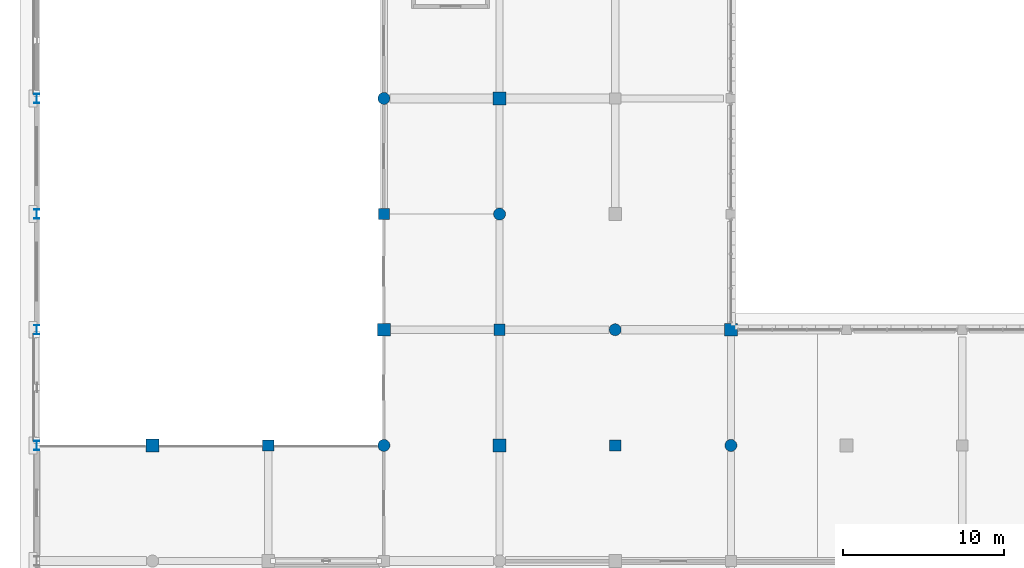
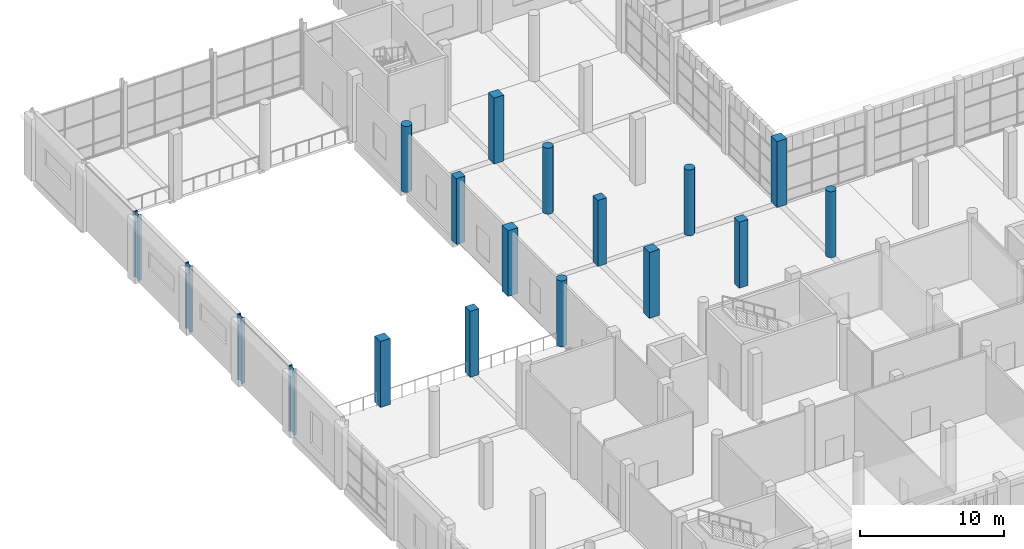
# One storey, part 3 of 80: 18 columns.
"""IFC4 building model written with IfcOpenShell, lengths in metres."""

import ifcopenshell
import ifcopenshell.guid

model = None  # the IFC model being written
_history = None  # IfcOwnerHistory: only IFC2X3 demands one
_inside = {}  # id of a spatial element -> (the spatial element, [elements in it])
_under = {}  # id of a project, library or spatial element -> (it, [spatial elements below it])
_declared = {}  # id of a project -> (the project, [libraries it declares])
_typed = {}  # id of a type object -> (the type object, [elements of that type])
_made_of = {}  # id of a material, layer set ... -> (it, [elements and type objects made of it])


def new_model(schema):
    """Start an empty IFC model of exactly this schema.

    Asked for "IFC4X3", IfcOpenShell would pick the latest addendum, in which some entities
    have other attributes; the version numbers below select the first issue.
    IFC2X3 requires an IfcOwnerHistory on every rooted entity: one is made here for all.
    """
    global model, _history
    if schema == "IFC4X3":
        model = ifcopenshell.file(schema_version=(4, 3, 0, 0))
    else:
        model = ifcopenshell.file(schema=schema)
    _inside.clear()
    _under.clear()
    _declared.clear()
    _typed.clear()
    _made_of.clear()
    _history = None
    if model.schema == "IFC2X3":
        org = make("IfcOrganization", Name="unknown")
        user = make(
            "IfcPersonAndOrganization",
            ThePerson=make("IfcPerson", FamilyName="unknown"),
            TheOrganization=org,
        )
        app = make(
            "IfcApplication",
            ApplicationDeveloper=org,
            Version="unknown",
            ApplicationFullName="unknown",
            ApplicationIdentifier="unknown",
        )
        _history = make(
            "IfcOwnerHistory",
            OwningUser=user,
            OwningApplication=app,
            ChangeAction="ADDED",
            CreationDate=0,
        )
    return model


def make(cls, **values):
    """One entity of the class cls with the attributes given. An attribute that is None is left unset."""
    return model.create_entity(
        cls, **{name: value for name, value in values.items() if value is not None}
    )


def rooted(cls, **values):
    """An entity with a GlobalId (a new one), such as an element, a storey or a relation."""
    return make(cls, GlobalId=ifcopenshell.guid.new(), OwnerHistory=_history, **values)


def si_unit(unit_type, name, prefix=None):
    """IfcSIUnit, for example si_unit("LENGTHUNIT", "METRE", prefix="MILLI")."""
    return make("IfcSIUnit", UnitType=unit_type, Prefix=prefix, Name=name)


def assignment(units):
    """IfcUnitAssignment: the units of a project."""
    return None if units is None else make("IfcUnitAssignment", Units=units)


def point(xyz):
    """IfcCartesianPoint."""
    return None if xyz is None else make("IfcCartesianPoint", Coordinates=xyz)


def direction(xyz):
    """IfcDirection."""
    return None if xyz is None else make("IfcDirection", DirectionRatios=xyz)


def frame(location, z_axis=None, x_axis=None):
    """IfcAxis2Placement3D, a coordinate frame: its origin and axes. An axis left out is left unset."""
    return make(
        "IfcAxis2Placement3D",
        Location=point(location),
        Axis=direction(z_axis),
        RefDirection=direction(x_axis),
    )


def frame_2d(location, x_axis=None):
    """IfcAxis2Placement2D, a coordinate frame in the plane: its origin and x axis."""
    return make(
        "IfcAxis2Placement2D", Location=point(location), RefDirection=direction(x_axis)
    )


def origin():
    """The frame at (0, 0, 0) with its axes left unset."""
    return frame((0.0, 0.0, 0.0))


def origin_2d():
    """The frame at (0, 0) in the plane with its x axis left unset."""
    return frame_2d((0.0, 0.0))


def place(relative_to, where):
    """IfcLocalPlacement: puts the frame where relative to a parent placement (None: the world)."""
    return make(
        "IfcLocalPlacement", PlacementRelTo=relative_to, RelativePlacement=where
    )


def context(
    kind, dimensions, precision=None, world=None, true_north=None, identifier=None
):
    """IfcGeometricRepresentationContext, for example the 3D "Model" context."""
    return make(
        "IfcGeometricRepresentationContext",
        ContextIdentifier=identifier,
        ContextType=kind,
        CoordinateSpaceDimension=dimensions,
        Precision=precision,
        WorldCoordinateSystem=world,
        TrueNorth=true_north,
    )


def subcontext(parent, identifier, kind, view, scale=None):
    """IfcGeometricRepresentationSubContext, for example "Body" below "Model"."""
    return make(
        "IfcGeometricRepresentationSubContext",
        ContextIdentifier=identifier,
        ContextType=kind,
        ParentContext=parent,
        TargetScale=scale,
        TargetView=view,
    )


def project(units=None, contexts=None):
    """IfcProject with its units and contexts."""
    return rooted(
        "IfcProject",
        Name="project",
        RepresentationContexts=contexts,
        UnitsInContext=assignment(units),
    )


def spatial(cls, under=None, at=None, **own):
    """A site, building, storey or space (cls), placed at a placement, below another one or the project."""
    s = rooted(cls, ObjectPlacement=at, **own)
    if under is not None:
        _under.setdefault(under.id(), (under, []))[1].append(s)
    return s


def profile(cls, at=None, kind="AREA", **sizes):
    """A parametric profile (cls). Its sizes go by their IFC names, for example OverallWidth=200.0."""
    return make(cls, ProfileType=kind, Position=at, **sizes)


def rectangle(**sizes):
    """IfcRectangleProfileDef."""
    return profile("IfcRectangleProfileDef", **sizes)


def circle(**sizes):
    """IfcCircleProfileDef."""
    return profile("IfcCircleProfileDef", **sizes)


def i_section(**sizes):
    """IfcIShapeProfileDef."""
    return profile("IfcIShapeProfileDef", **sizes)


def extrude(swept, where, along, depth):
    """IfcExtrudedAreaSolid: the profile swept, set in the frame where, extruded along a direction by depth."""
    return make(
        "IfcExtrudedAreaSolid",
        SweptArea=swept,
        Position=where,
        ExtrudedDirection=direction(along),
        Depth=depth,
    )


def shape(context_of_items, identifier, shape_type, items):
    """IfcShapeRepresentation: the items that make up one representation, for example the "Body"."""
    return make(
        "IfcShapeRepresentation",
        ContextOfItems=context_of_items,
        RepresentationIdentifier=identifier,
        RepresentationType=shape_type,
        Items=items,
    )


def material(Name=None, Category=None):
    """IfcMaterial."""
    return make("IfcMaterial", Name=Name, Category=Category)


def material_profile(
    of_material, cross_section, Name=None, Category=None, Priority=None
):
    """IfcMaterialProfile: a cross section and its material."""
    return make(
        "IfcMaterialProfile",
        Name=Name,
        Material=of_material,
        Profile=cross_section,
        Priority=Priority,
        Category=Category,
    )


def profile_set(profiles, Name=None, composite=None):
    """IfcMaterialProfileSet."""
    return make(
        "IfcMaterialProfileSet",
        Name=Name,
        MaterialProfiles=profiles,
        CompositeProfile=composite,
    )


def made_of(thing, what):
    """Note that an element or type object is made of a material, layer set ...; save() writes the relation."""
    if what is not None:
        _made_of.setdefault(what.id(), (what, []))[1].append(thing)
    return thing


def type_object(cls, material=None, **own):
    """A type object (cls), such as IfcWallType, which elements share."""
    return made_of(rooted(cls, **own), material)


def element(
    cls,
    number,
    at=None,
    inside=None,
    cuts=None,
    type_object=None,
    material=None,
    context=None,
    identifier="Body",
    shape_type=None,
    held_by="IfcProductDefinitionShape",
    body=None,
    shapes=None,
    **own,
):
    """One element of the class cls, such as IfcWall. Its Tag is "e" and its number.

    at: its placement. inside: the storey or other place that contains it. cuts: it is an
    opening in that element (IfcRelVoidsElement). A single representation is given by context,
    identifier, shape_type and body (its items); several are given by shapes. held_by: the class
    of the entity that holds the representations. save() writes the other relations.
    """
    e = rooted(cls, Tag="e%d" % number, ObjectPlacement=at, **own)
    if body is not None:
        shapes = [shape(context, identifier, shape_type, body)]
    if shapes is not None:
        e.Representation = make(held_by, Representations=shapes)
    if inside is not None:
        _inside.setdefault(inside.id(), (inside, []))[1].append(e)
    if cuts is not None:
        rooted(
            "IfcRelVoidsElement", RelatingBuildingElement=cuts, RelatedOpeningElement=e
        )
    if type_object is not None:
        _typed.setdefault(type_object.id(), (type_object, []))[1].append(e)
    return made_of(e, material)


def aggregate(whole, parts):
    """IfcRelAggregates: a whole, such as a stair, and the parts it consists of."""
    return rooted("IfcRelAggregates", RelatingObject=whole, RelatedObjects=parts)


def save(model, path):
    """Write the relations noted so far, then the file.

    IfcRelAggregates (storeys below a building ...), IfcRelContainedInSpatialStructure (elements
    in a storey), IfcRelDefinesByType, IfcRelAssociatesMaterial and IfcRelDeclares: one each for
    every whole, place, type object, material and project.
    """
    for whole, parts in _under.values():
        aggregate(whole, parts)
    for where, things in _inside.values():
        rooted(
            "IfcRelContainedInSpatialStructure",
            RelatedElements=things,
            RelatingStructure=where,
        )
    for kind, things in _typed.values():
        rooted("IfcRelDefinesByType", RelatedObjects=things, RelatingType=kind)
    for what, things in _made_of.values():
        rooted("IfcRelAssociatesMaterial", RelatedObjects=things, RelatingMaterial=what)
    for by, libraries in _declared.values():
        rooted("IfcRelDeclares", RelatingContext=by, RelatedDefinitions=libraries)
    model.write(path)


model = new_model("IFC4")

# Units and contexts
model_context = context("Model", 3, precision=1e-05, world=origin(), true_north=direction((0.0, 1.0)))
body_context = subcontext(model_context, "Body", "Model", "MODEL_VIEW")
ifc_project = project(units=[si_unit("LENGTHUNIT", "METRE"), si_unit("AREAUNIT", "SQUARE_METRE"), si_unit("VOLUMEUNIT", "CUBIC_METRE"), si_unit("PLANEANGLEUNIT", "RADIAN"), si_unit("MASSUNIT", "GRAM", prefix="KILO")], contexts=[model_context])

# Site, building, storey
site_placement = place(None, origin())
site = spatial("IfcSite", under=ifc_project, at=site_placement, CompositionType="ELEMENT")
building_placement = place(site_placement, origin())
building = spatial("IfcBuilding", under=site, at=building_placement, Name="Sardonyx Promenade Sports Hall", CompositionType="ELEMENT")
storey_placement = place(building_placement, frame((0.0, 0.0, 5.60009765625)))
storey = spatial("IfcBuildingStorey", under=building, at=storey_placement, Name="L01", CompositionType="ELEMENT", Elevation=5.60009765625)

# Columns
ifc_material_1 = material(Name="Steel S355JR", Category="steel")
ifc_material_profile_1 = material_profile(ifc_material_1, i_section(OverallWidth=0.300048828125, OverallDepth=0.590087890625, WebThickness=0.012939453125, FlangeThickness=0.02490234375, at=origin_2d()))
ifc_profile_set_1 = profile_set([ifc_material_profile_1], Name="Steel S355JR")
column_type_1 = type_object("IfcColumnType", Name="Col_Ext_HEA600", PredefinedType="COLUMN", material=ifc_profile_set_1)
for number, where, z_axis, x_axis, name in (
    (1, (0.0, 36.0, 0.0), (0.0, 0.0, 1.0), (1.0, 0.0, 0.0), "Column CE01 L01 (0.0,36.0)"),
    (2, (0.0, 43.199951171875, 0.0), (0.0, 0.0, 1.0), (1.0, 0.0, 0.0), "Column CE01 L01 (0.0,43.2)"),
    (3, (0.0, 50.39990234375, 0.0), (0.0, 0.0, 1.0), (1.0, 0.0, 0.0), "Column CE01 L01 (0.0,50.4)"),
    (4, (0.0, 57.60009765625, 0.0), (0.0, 0.0, 1.0), (1.0, 0.0, 0.0), "Column CE01 L01 (0.0,57.6)"),
):
    element("IfcColumn", number, at=place(storey_placement, frame(where, z_axis=z_axis, x_axis=x_axis)), inside=storey, type_object=column_type_1, Name=name, PredefinedType="COLUMN", context=body_context, shape_type="SweptSolid", body=[
        extrude(i_section(OverallWidth=0.300048828125, OverallDepth=0.590087890625, WebThickness=0.012939453125, FlangeThickness=0.02490234375, at=origin_2d()), origin(), (0.0, 0.0, 1.0), 5.599853515625),
    ])
ifc_material_2 = material(Name="Concrete C50/60", Category="concrete")
ifc_material_profile_2 = material_profile(ifc_material_2, rectangle(XDim=0.699951171875, YDim=0.699951171875, at=origin_2d()))
ifc_profile_set_2 = profile_set([ifc_material_profile_2], Name="Concrete C50/60")
column_type_2 = type_object("IfcColumnType", Name="Col_Int_RC700", PredefinedType="COLUMN", material=ifc_profile_set_2)
for number, where, z_axis, x_axis, name in (
    (5, (14.39990234375, 36.0, 0.0), (0.0, 0.0, 1.0), (1.0, 0.0, 0.0), "Column CI03 L01 (14.4,36.0)"),
    (6, (21.60009765625, 50.39990234375, 0.0), (0.0, 0.0, 1.0), (1.0, 0.0, 0.0), "Column CI03 L01 (21.6,50.4)"),
    (7, (28.800048828125, 43.199951171875, 0.0), (0.0, 0.0, 1.0), (1.0, 0.0, 0.0), "Column CI03 L01 (28.8,43.2)"),
    (8, (36.0, 36.0, 0.0), (0.0, 0.0, 1.0), (1.0, 0.0, 0.0), "Column CI03 L01 (36.0,36.0)"),
):
    element("IfcColumn", number, at=place(storey_placement, frame(where, z_axis=z_axis, x_axis=x_axis)), inside=storey, type_object=column_type_2, Name=name, PredefinedType="COLUMN", context=body_context, shape_type="SweptSolid", body=[
        extrude(rectangle(XDim=0.699951171875, YDim=0.699951171875, at=origin_2d()), origin(), (0.0, 0.0, 1.0), 5.599853515625),
    ])
ifc_material_3 = material(Name="Concrete C50/60", Category="concrete")
ifc_material_profile_3 = material_profile(ifc_material_3, rectangle(XDim=0.800048828125, YDim=0.800048828125, at=origin_2d()))
ifc_profile_set_3 = profile_set([ifc_material_profile_3], Name="Concrete C50/60")
column_type_3 = type_object("IfcColumnType", Name="Col_Int_RC800", PredefinedType="COLUMN", material=ifc_profile_set_3)
for number, where, z_axis, x_axis, name in (
    (9, (7.199951171875, 36.0, 0.0), (0.0, 0.0, 1.0), (1.0, 0.0, 0.0), "Column CI01 L01 (7.2,36.0)"),
    (10, (21.60009765625, 43.199951171875, 0.0), (0.0, 0.0, 1.0), (1.0, 0.0, 0.0), "Column CI01 L01 (21.6,43.2)"),
    (11, (28.800048828125, 36.0, 0.0), (0.0, 0.0, 1.0), (1.0, 0.0, 0.0), "Column CI01 L01 (28.8,36.0)"),
    (12, (28.800048828125, 57.60009765625, 0.0), (0.0, 0.0, 1.0), (1.0, 0.0, 0.0), "Column CI01 L01 (28.8,57.6)"),
    (13, (43.199951171875, 43.199951171875, 0.0), (0.0, 0.0, 1.0), (1.0, 0.0, 0.0), "Column CI01 L01 (43.2,43.2)"),
):
    element("IfcColumn", number, at=place(storey_placement, frame(where, z_axis=z_axis, x_axis=x_axis)), inside=storey, type_object=column_type_3, Name=name, PredefinedType="COLUMN", context=body_context, shape_type="SweptSolid", body=[
        extrude(rectangle(XDim=0.800048828125, YDim=0.800048828125, at=origin_2d()), origin(), (0.0, 0.0, 1.0), 5.599853515625),
    ])
ifc_material_4 = material(Name="Concrete C50/60", Category="concrete")
ifc_material_profile_4 = material_profile(ifc_material_4, circle(Radius=0.375, at=origin_2d()))
ifc_profile_set_4 = profile_set([ifc_material_profile_4], Name="Concrete C50/60")
column_type_4 = type_object("IfcColumnType", Name="Col_Int_RCD750", PredefinedType="COLUMN", material=ifc_profile_set_4)
for number, where, z_axis, x_axis, name in (
    (14, (21.60009765625, 36.0, 0.0), (0.0, 0.0, 1.0), (1.0, 0.0, 0.0), "Column CI07 L01 (21.6,36.0)"),
    (15, (21.60009765625, 57.60009765625, 0.0), (0.0, 0.0, 1.0), (1.0, 0.0, 0.0), "Column CI07 L01 (21.6,57.6)"),
    (16, (28.800048828125, 50.39990234375, 0.0), (0.0, 0.0, 1.0), (1.0, 0.0, 0.0), "Column CI07 L01 (28.8,50.4)"),
    (17, (36.0, 43.199951171875, 0.0), (0.0, 0.0, 1.0), (1.0, 0.0, 0.0), "Column CI07 L01 (36.0,43.2)"),
    (18, (43.199951171875, 36.0, 0.0), (0.0, 0.0, 1.0), (1.0, 0.0, 0.0), "Column CI07 L01 (43.2,36.0)"),
):
    element("IfcColumn", number, at=place(storey_placement, frame(where, z_axis=z_axis, x_axis=x_axis)), inside=storey, type_object=column_type_4, Name=name, PredefinedType="COLUMN", context=body_context, shape_type="SweptSolid", body=[
        extrude(circle(Radius=0.375, at=origin_2d()), origin(), (0.0, 0.0, 1.0), 5.599853515625),
    ])

save(model, "model.ifc")
